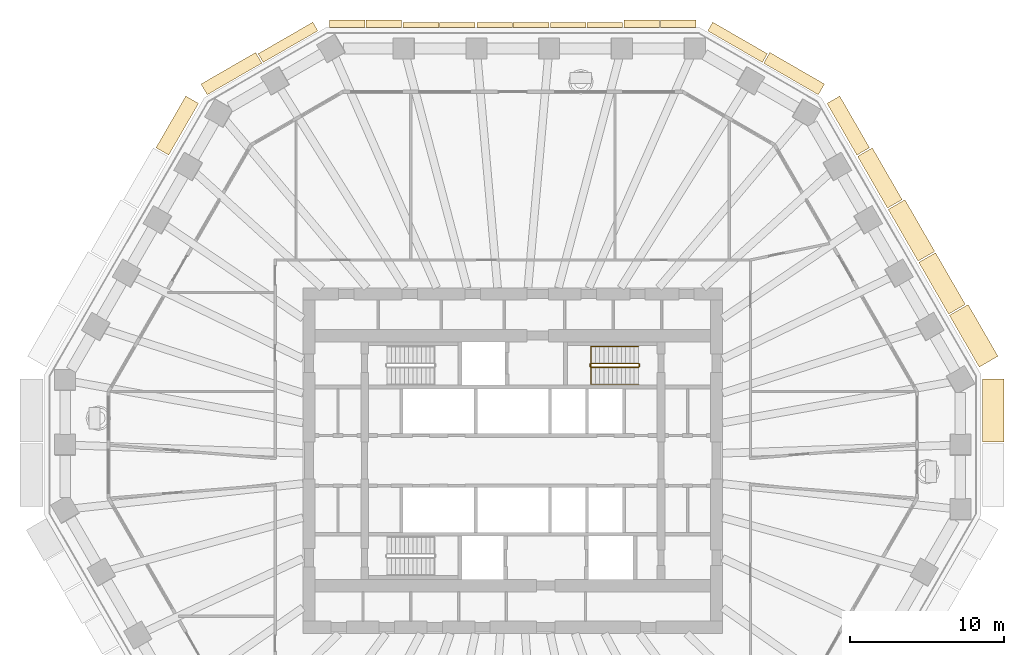
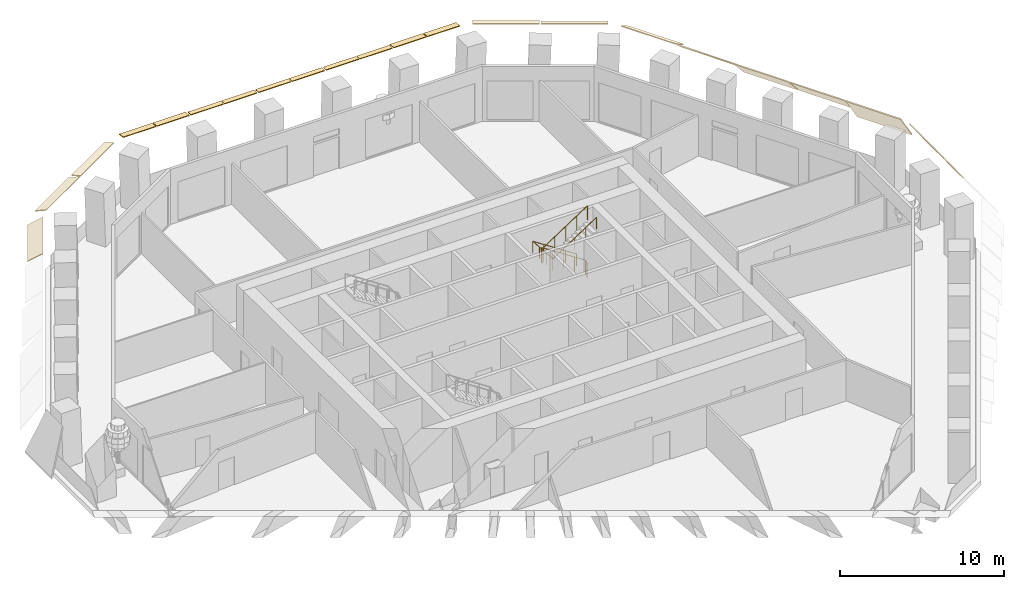
# One storey, part 11 of 13: 21 coverings, 2 railings.
"""IFC4 building model written with IfcOpenShell, lengths in metres."""

from ifc_helpers import new_model, si_unit, direction, frame, origin, origin_2d, place, context, subcontext, project, spatial, polyline, circle, outline, extrude, material, layer, layer_set, type_object, element, save


model = new_model("IFC4")

# Units and contexts
model_context = context("Model", 3, precision=1e-05, world=origin(), true_north=direction((0.0, 1.0)))
body_context = subcontext(model_context, "Body", "Model", "MODEL_VIEW")
ifc_project = project(units=[si_unit("LENGTHUNIT", "METRE"), si_unit("AREAUNIT", "SQUARE_METRE"), si_unit("VOLUMEUNIT", "CUBIC_METRE"), si_unit("PLANEANGLEUNIT", "RADIAN"), si_unit("MASSUNIT", "GRAM", prefix="KILO")], contexts=[model_context])

# Site, building, storey
site_placement = place(None, origin())
site = spatial("IfcSite", under=ifc_project, at=site_placement, CompositionType="ELEMENT")
building_placement = place(site_placement, origin())
building = spatial("IfcBuilding", under=site, at=building_placement, Name="Frailejon Research Tower", CompositionType="ELEMENT")
storey_placement = place(building_placement, frame((0.0, 0.0, 113.199951171875)))
storey = spatial("IfcBuildingStorey", under=building, at=storey_placement, Name="L24", CompositionType="ELEMENT", Elevation=113.199951171875)

# Coverings
ifc_material_1 = material(Name="Precast concrete C50/60", Category="concrete")
ifc_layer_1 = layer(ifc_material_1, 0.06005859375)
ifc_layer_set_1 = layer_set([ifc_layer_1], Name="Brim blade depth 1100")
covering_type_1 = type_object("IfcCoveringType", Name="Brim blade depth 1100", PredefinedType="CLADDING", material=ifc_layer_set_1)
covering_1_placement = place(storey_placement, frame((22.344970703125, 19.71044921875, 4.25), z_axis=(0.499990992214, -0.86603060437, 0.0), x_axis=(0.86603060437, 0.499990992214, 0.0)))
element("IfcCovering", 1, at=covering_1_placement, inside=storey, type_object=covering_type_1, Name="Brim blade L24", PredefinedType="CLADDING", context=body_context, shape_type="SweptSolid", body=[
    extrude(outline(polyline([(0.0, -0.078369140625), (1.10009765625, -1.001220703125), (1.10009765625, -0.923095703125), (0.0, 0.0), (0.0, -0.078369140625)])), origin(), (0.0, 0.0, 1.0), 3.864990234375),
])
ifc_material_2 = material(Name="Precast concrete C50/60", Category="concrete")
ifc_layer_2 = layer(ifc_material_2, 0.06005859375)
ifc_layer_set_2 = layer_set([ifc_layer_2], Name="Brim blade depth 1250")
covering_type_2 = type_object("IfcCoveringType", Name="Brim blade depth 1250", PredefinedType="CLADDING", material=ifc_layer_set_2)
for number, where, z_axis, x_axis, name in (
    (2, (26.309814453125, 12.843017578125, 4.25), (0.50000990814, -0.866019683242, 0.0), (0.866019683242, 0.50000990814, 0.0), "Brim blade L24"),
    (3, (24.327392578125, 16.27685546875, 4.25), (0.499990992214, -0.86603060437, 0.0), (0.86603060437, 0.499990992214, 0.0), "Brim blade L24"),
):
    element("IfcCovering", number, at=place(storey_placement, frame(where, z_axis=z_axis, x_axis=x_axis)), inside=storey, type_object=covering_type_2, Name=name, PredefinedType="CLADDING", context=body_context, shape_type="SweptSolid", body=[
        extrude(outline(polyline([(0.0, -0.0888671875), (1.25, -1.452880859375), (1.25, -1.364013671875), (0.0, 0.0), (0.0, -0.0888671875)])), origin(), (0.0, 0.0, 1.0), 3.864990234375),
    ])
ifc_material_3 = material(Name="Precast concrete C50/60", Category="concrete")
ifc_layer_3 = layer(ifc_material_3, 0.06005859375)
ifc_layer_set_3 = layer_set([ifc_layer_3], Name="Brim blade depth 1400")
covering_type_3 = type_object("IfcCoveringType", Name="Brim blade depth 1400", PredefinedType="CLADDING", material=ifc_layer_set_3)
covering_2_placement = place(storey_placement, frame((30.430419921875, 5.294189453125, 4.25), z_axis=(0.0, -1.0, 0.0), x_axis=(1.0, 0.0, 0.0)))
element("IfcCovering", 4, at=covering_2_placement, inside=storey, type_object=covering_type_3, Name="Brim blade L24", PredefinedType="CLADDING", context=body_context, shape_type="SweptSolid", body=[
    extrude(outline(polyline([(0.0, -0.1044921875), (1.39990234375, -2.10400390625), (1.39990234375, -1.99951171875), (0.0, 0.0), (0.0, -0.1044921875)])), origin(), (0.0, 0.0, 1.0), 4.087646484375),
])
covering_3_placement = place(storey_placement, frame((28.292236328125, 9.409423828125, 4.25), z_axis=(0.500001913884, -0.8660242988, 0.0), x_axis=(0.8660242988, 0.500001913884, 0.0)))
element("IfcCovering", 5, at=covering_3_placement, inside=storey, type_object=covering_type_3, Name="Brim blade L24", PredefinedType="CLADDING", context=body_context, shape_type="SweptSolid", body=[
    extrude(outline(polyline([(0.0, -0.1044921875), (1.39990234375, -2.10400390625), (1.39990234375, -1.99951171875), (0.0, 0.0), (0.0, -0.1044921875)])), origin(), (0.0, 0.0, 1.0), 3.86474609375),
])
ifc_material_4 = material(Name="Precast concrete C50/60", Category="concrete")
ifc_layer_4 = layer(ifc_material_4, 0.06005859375)
ifc_layer_set_4 = layer_set([ifc_layer_4], Name="Brim blade depth 350")
covering_type_4 = type_object("IfcCoveringType", Name="Brim blade depth 350", PredefinedType="CLADDING", material=ifc_layer_set_4)
for number, where, z_axis, x_axis, name in (
    (6, (4.796142578125, 28.050048828125, 4.25), (1.0, 0.0, 0.0), (0.0, 1.0, 0.0), "Brim blade L24"),
    (7, (2.43310546875, 28.050048828125, 4.25), (1.0, 0.0, 0.0), (0.0, 1.0, 0.0), "Brim blade L24"),
    (8, (0.030029296875, 28.050048828125, 4.25), (1.0, 0.0, 0.0), (0.0, 1.0, 0.0), "Brim blade L24"),
    (9, (-2.3330078125, 28.050048828125, 4.25), (1.0, 0.0, 0.0), (0.0, 1.0, 0.0), "Brim blade L24"),
    (10, (-4.736083984375, 28.050048828125, 4.25), (1.0, 0.0, 0.0), (0.0, 1.0, 0.0), "Brim blade L24"),
    (11, (-7.09912109375, 28.050048828125, 4.25), (1.0, 0.0, 0.0), (0.0, 1.0, 0.0), "Brim blade L24"),
):
    element("IfcCovering", number, at=place(storey_placement, frame(where, z_axis=z_axis, x_axis=x_axis)), inside=storey, type_object=covering_type_4, Name=name, PredefinedType="CLADDING", context=body_context, shape_type="SweptSolid", body=[
        extrude(outline(polyline([(0.0, -0.06005859375), (0.35009765625, -0.06005859375), (0.35009765625, 0.0), (0.0, 0.0), (0.0, -0.06005859375)])), origin(), (0.0, 0.0, 1.0), 2.302978515625),
    ])
ifc_material_5 = material(Name="Precast concrete C50/60", Category="concrete")
ifc_layer_5 = layer(ifc_material_5, 0.06005859375)
ifc_layer_set_5 = layer_set([ifc_layer_5], Name="Brim blade depth 500")
covering_type_5 = type_object("IfcCoveringType", Name="Brim blade depth 500", PredefinedType="CLADDING", material=ifc_layer_set_5)
for number, where, z_axis, x_axis, name in (
    (12, (9.562255859375, 28.050048828125, 4.25), (1.0, 0.0, 0.0), (0.0, 1.0, 0.0), "Brim blade L24"),
    (13, (7.19921875, 28.050048828125, 4.25), (1.0, 0.0, 0.0), (0.0, 1.0, 0.0), "Brim blade L24"),
    (14, (-9.502197265625, 28.050048828125, 4.25), (1.0, 0.0, 0.0), (0.0, 1.0, 0.0), "Brim blade L24"),
    (15, (-11.865234375, 28.050048828125, 4.25), (1.0, 0.0, 0.0), (0.0, 1.0, 0.0), "Brim blade L24"),
):
    element("IfcCovering", number, at=place(storey_placement, frame(where, z_axis=z_axis, x_axis=x_axis)), inside=storey, type_object=covering_type_5, Name=name, PredefinedType="CLADDING", context=body_context, shape_type="SweptSolid", body=[
        extrude(outline(polyline([(0.0, -0.060546875), (0.5, -0.130859375), (0.5, -0.0703125), (0.0, 0.0), (0.0, -0.060546875)])), origin(), (0.0, 0.0, 1.0), 2.302978515625),
    ])
ifc_material_6 = material(Name="Precast concrete C50/60", Category="concrete")
ifc_layer_6 = layer(ifc_material_6, 0.06005859375)
ifc_layer_set_6 = layer_set([ifc_layer_6], Name="Brim blade depth 650")
covering_type_6 = type_object("IfcCoveringType", Name="Brim blade depth 650", PredefinedType="CLADDING", material=ifc_layer_set_6)
for number, where, z_axis, x_axis, name in (
    (16, (12.633544921875, 27.843994140625, 4.25), (0.866021344981, -0.500007029989, 0.0), (0.500007029989, 0.866021344981, 0.0), "Brim blade L24"),
    (17, (-16.173583984375, 25.80029296875, 4.25), (0.866021344981, 0.500007029989, 0.0), (-0.500007029989, 0.866021344981, 0.0), "Brim blade L24"),
):
    element("IfcCovering", number, at=place(storey_placement, frame(where, z_axis=z_axis, x_axis=x_axis)), inside=storey, type_object=covering_type_6, Name=name, PredefinedType="CLADDING", context=body_context, shape_type="SweptSolid", body=[
        extrude(outline(polyline([(0.0, -0.0625), (0.64990234375, -0.248779296875), (0.64990234375, -0.186279296875), (0.0, 0.0), (0.0, -0.0625)])), origin(), (0.0, 0.0, 1.0), 4.08740234375),
    ])
ifc_material_7 = material(Name="Precast concrete C50/60", Category="concrete")
ifc_layer_7 = layer(ifc_material_7, 0.06005859375)
ifc_layer_set_7 = layer_set([ifc_layer_7], Name="Brim blade depth 800")
covering_type_7 = type_object("IfcCoveringType", Name="Brim blade depth 800", PredefinedType="CLADDING", material=ifc_layer_set_7)
for number, where, z_axis, x_axis, name in (
    (18, (16.260009765625, 25.750244140625, 4.25), (0.866021344981, -0.500007029989, 0.0), (0.500007029989, 0.866021344981, 0.0), "Brim blade L24"),
    (19, (-19.800048828125, 23.70654296875, 4.25), (0.866021344981, 0.500007029989, 0.0), (-0.500007029989, 0.866021344981, 0.0), "Brim blade L24"),
):
    element("IfcCovering", number, at=place(storey_placement, frame(where, z_axis=z_axis, x_axis=x_axis)), inside=storey, type_object=covering_type_7, Name=name, PredefinedType="CLADDING", context=body_context, shape_type="SweptSolid", body=[
        extrude(outline(polyline([(0.0, -0.065673828125), (0.800048828125, -0.421875), (0.800048828125, -0.356201171875), (0.0, 0.0), (0.0, -0.065673828125)])), origin(), (0.0, 0.0, 1.0), 4.08740234375),
    ])
ifc_material_8 = material(Name="Precast concrete C50/60", Category="concrete")
ifc_layer_8 = layer(ifc_material_8, 0.06005859375)
ifc_layer_set_8 = layer_set([ifc_layer_8], Name="Brim blade depth 950")
covering_type_8 = type_object("IfcCoveringType", Name="Brim blade depth 950", PredefinedType="CLADDING", material=ifc_layer_set_8)
for number, where, z_axis, x_axis, name in (
    (20, (20.3623046875, 23.14404296875, 4.25), (0.500020830106, -0.866013377183, 0.0), (0.866013377183, 0.500020830106, 0.0), "Brim blade L24"),
    (21, (-22.294921875, 19.797119140625, 4.25), (0.500020830106, 0.866013377183, 0.0), (-0.866013377183, 0.500020830106, 0.0), "Brim blade L24"),
):
    element("IfcCovering", number, at=place(storey_placement, frame(where, z_axis=z_axis, x_axis=x_axis)), inside=storey, type_object=covering_type_8, Name=name, PredefinedType="CLADDING", context=body_context, shape_type="SweptSolid", body=[
        extrude(outline(polyline([(0.0, -0.07080078125), (0.949951171875, -0.664306640625), (0.949951171875, -0.593505859375), (0.0, 0.0), (0.0, -0.07080078125)])), origin(), (0.0, 0.0, 1.0), 3.86474609375),
    ])

# Railings
ifc_material_9 = material(Name="Stainless steel", Category="steel")
railing_type_1 = type_object("IfcRailingType", Name="Stair guard 1100", PredefinedType="GUARDRAIL", material=ifc_material_9)
railing_1_placement = place(storey_placement, frame((8.199951171875, 6.10009765625, 0.0)))
element("IfcRailing", 22, at=railing_1_placement, inside=storey, type_object=railing_type_1, Name="L24 ST3 stair guard 1", PredefinedType="GUARDRAIL", context=body_context, shape_type="SweptSolid", body=[
    extrude(circle(Radius=0.02392578125, at=origin_2d()), frame((0.0, 0.0, 1.076171875), z_axis=(0.0, 1.0, 0.0), x_axis=(-1.0, 0.0, 0.0)), (0.0, 0.0, 1.0), 0.14990234375),
    extrude(circle(Radius=0.02392578125, at=origin_2d()), frame((0.0, 0.14990234375, 1.076171875), z_axis=(-0.254653276557, 0.254653276557, 0.932900539971), x_axis=(-0.707106781187, -0.707106781187, 0.0)), (0.0, 0.0, 1.0), 0.196533203125),
    extrude(circle(Radius=0.02392578125, at=origin_2d()), frame((-0.050048828125, 0.199951171875, 1.25927734375), z_axis=(-0.836613101238, 0.0, 0.547794230379), x_axis=(0.0, -1.0, 0.0)), (0.0, 0.0, 1.0), 3.681396484375),
    extrude(circle(Radius=0.02392578125, at=origin_2d()), frame((-3.1298828125, 0.199951171875, 3.27587890625), z_axis=(-0.707106781187, -0.707106781187, 0.0), x_axis=(0.707106781187, -0.707106781187, 0.0)), (0.0, 0.0, 1.0), 0.07080078125),
    extrude(circle(Radius=0.02392578125, at=origin_2d()), frame((-3.179931640625, 0.14990234375, 3.27587890625), z_axis=(0.0, -1.0, 0.0), x_axis=(1.0, 0.0, 0.0)), (0.0, 0.0, 1.0), 0.14990234375),
    extrude(circle(Radius=0.02392578125, at=origin_2d()), frame((-3.179931640625, 0.0, 3.27587890625), z_axis=(0.254653276557, -0.254653276557, 0.932900539971), x_axis=(0.707106781187, 0.707106781187, 0.0)), (0.0, 0.0, 1.0), 0.196533203125),
    extrude(circle(Radius=0.02392578125, at=origin_2d()), frame((-3.1298828125, -0.050048828125, 3.45947265625), z_axis=(0.836582707638, 0.0, 0.547840645882), x_axis=(0.0, 1.0, 0.0)), (0.0, 0.0, 1.0), 3.681396484375),
    extrude(circle(Radius=0.02099609375, at=origin_2d()), origin(), (0.0, 0.0, 1.0), 1.052001953125),
    extrude(circle(Radius=0.02099609375, at=origin_2d()), frame((0.0, 0.14990234375, 0.0)), (0.0, 0.0, 1.0), 1.052001953125),
    extrude(circle(Radius=0.02099609375, at=origin_2d()), frame((-0.050048828125, 0.199951171875, 0.183349609375)), (0.0, 0.0, 1.0), 1.052001953125),
    extrude(circle(Radius=0.02099609375, at=origin_2d()), frame((-0.820068359375, 0.199951171875, 0.6875)), (0.0, 0.0, 1.0), 1.052001953125),
    extrude(circle(Radius=0.02099609375, at=origin_2d()), frame((-1.58984375, 0.199951171875, 1.191650390625)), (0.0, 0.0, 1.0), 1.052001953125),
    extrude(circle(Radius=0.02099609375, at=origin_2d()), frame((-2.35986328125, 0.199951171875, 1.69580078125)), (0.0, 0.0, 1.0), 1.052001953125),
    extrude(circle(Radius=0.02099609375, at=origin_2d()), frame((-3.1298828125, 0.199951171875, 2.199951171875)), (0.0, 0.0, 1.0), 1.052001953125),
    extrude(circle(Radius=0.02099609375, at=origin_2d()), frame((-3.179931640625, 0.14990234375, 2.199951171875)), (0.0, 0.0, 1.0), 1.052001953125),
    extrude(circle(Radius=0.02099609375, at=origin_2d()), frame((-3.179931640625, 0.0, 2.199951171875)), (0.0, 0.0, 1.0), 1.052001953125),
    extrude(circle(Radius=0.02099609375, at=origin_2d()), frame((-3.1298828125, -0.050048828125, 2.38330078125)), (0.0, 0.0, 1.0), 1.052001953125),
    extrude(circle(Radius=0.02099609375, at=origin_2d()), frame((-2.35986328125, -0.050048828125, 2.887451171875)), (0.0, 0.0, 1.0), 1.052001953125),
    extrude(circle(Radius=0.02099609375, at=origin_2d()), frame((-1.58984375, -0.050048828125, 3.3916015625)), (0.0, 0.0, 1.0), 1.052001953125),
    extrude(circle(Radius=0.02099609375, at=origin_2d()), frame((-0.820068359375, -0.050048828125, 3.89599609375)), (0.0, 0.0, 1.0), 1.052001953125),
    extrude(circle(Radius=0.02099609375, at=origin_2d()), frame((-0.050048828125, -0.050048828125, 4.400146484375)), (0.0, 0.0, 1.0), 1.052001953125),
])
ifc_material_10 = material(Name="Stainless steel", Category="steel")
railing_type_2 = type_object("IfcRailingType", Name="Stair handrail 900", PredefinedType="HANDRAIL", material=ifc_material_10)
railing_2_placement = place(storey_placement, frame((8.14990234375, 7.39990234375, 0.183349609375)))
element("IfcRailing", 23, at=railing_2_placement, inside=storey, type_object=railing_type_2, Name="L24 ST3 stair handrail 1", PredefinedType="HANDRAIL", context=body_context, shape_type="SweptSolid", body=[
    extrude(circle(Radius=0.02392578125, at=origin_2d()), frame((0.0, 0.0, 0.8759765625), z_axis=(-0.836613101238, 0.0, 0.547794230379), x_axis=(0.0, -1.0, 0.0)), (0.0, 0.0, 1.0), 3.681396484375),
    extrude(circle(Radius=0.02392578125, at=origin_2d()), frame((-3.079833984375, 0.0, 2.892578125), z_axis=(0.0, -0.99721134034, 0.074629368868), x_axis=(1.0, 0.0, 0.0)), (0.0, 0.0, 1.0), 2.456787109375),
    extrude(circle(Radius=0.02392578125, at=origin_2d()), frame((-3.079833984375, -2.449951171875, 3.07568359375), z_axis=(0.836582707638, 0.0, 0.547840645882), x_axis=(0.0, 1.0, 0.0)), (0.0, 0.0, 1.0), 3.681396484375),
    extrude(circle(Radius=0.02099609375, at=origin_2d()), origin(), (0.0, 0.0, 1.0), 0.851806640625),
    extrude(circle(Radius=0.02099609375, at=origin_2d()), frame((-0.77001953125, 0.0, 0.504150390625)), (0.0, 0.0, 1.0), 0.851806640625),
    extrude(circle(Radius=0.02099609375, at=origin_2d()), frame((-1.5400390625, 0.0, 1.00830078125)), (0.0, 0.0, 1.0), 0.851806640625),
    extrude(circle(Radius=0.02099609375, at=origin_2d()), frame((-2.309814453125, 0.0, 1.512451171875)), (0.0, 0.0, 1.0), 0.851806640625),
    extrude(circle(Radius=0.02099609375, at=origin_2d()), frame((-3.079833984375, 0.0, 2.0166015625)), (0.0, 0.0, 1.0), 0.851806640625),
    extrude(circle(Radius=0.02099609375, at=origin_2d()), frame((-3.079833984375, -0.816650390625, 2.07763671875)), (0.0, 0.0, 1.0), 0.851806640625),
    extrude(circle(Radius=0.02099609375, at=origin_2d()), frame((-3.079833984375, -1.63330078125, 2.138916015625)), (0.0, 0.0, 1.0), 0.851806640625),
    extrude(circle(Radius=0.02099609375, at=origin_2d()), frame((-3.079833984375, -2.449951171875, 2.199951171875)), (0.0, 0.0, 1.0), 0.851806640625),
    extrude(circle(Radius=0.02099609375, at=origin_2d()), frame((-2.309814453125, -2.449951171875, 2.7041015625)), (0.0, 0.0, 1.0), 0.851806640625),
    extrude(circle(Radius=0.02099609375, at=origin_2d()), frame((-1.5400390625, -2.449951171875, 3.20849609375)), (0.0, 0.0, 1.0), 0.851806640625),
    extrude(circle(Radius=0.02099609375, at=origin_2d()), frame((-0.77001953125, -2.449951171875, 3.712646484375)), (0.0, 0.0, 1.0), 0.851806640625),
    extrude(circle(Radius=0.02099609375, at=origin_2d()), frame((0.0, -2.449951171875, 4.216796875)), (0.0, 0.0, 1.0), 0.851806640625),
])

save(model, "model.ifc")
